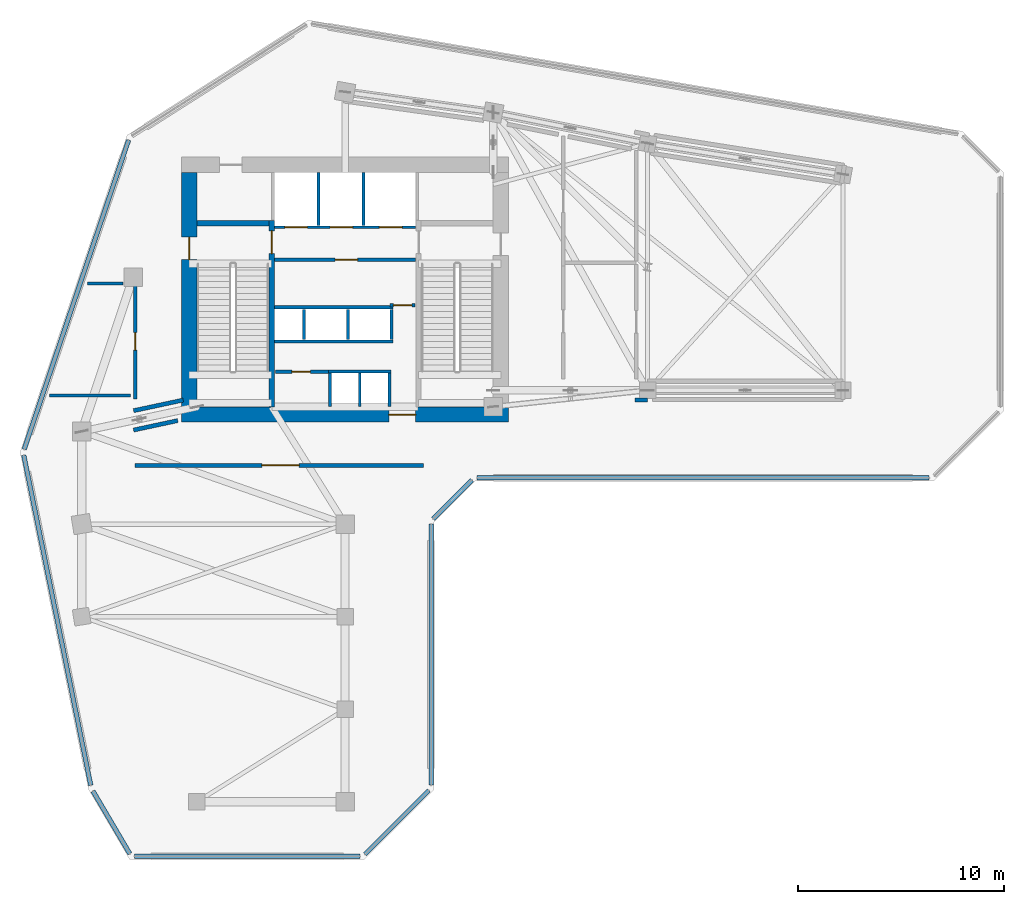
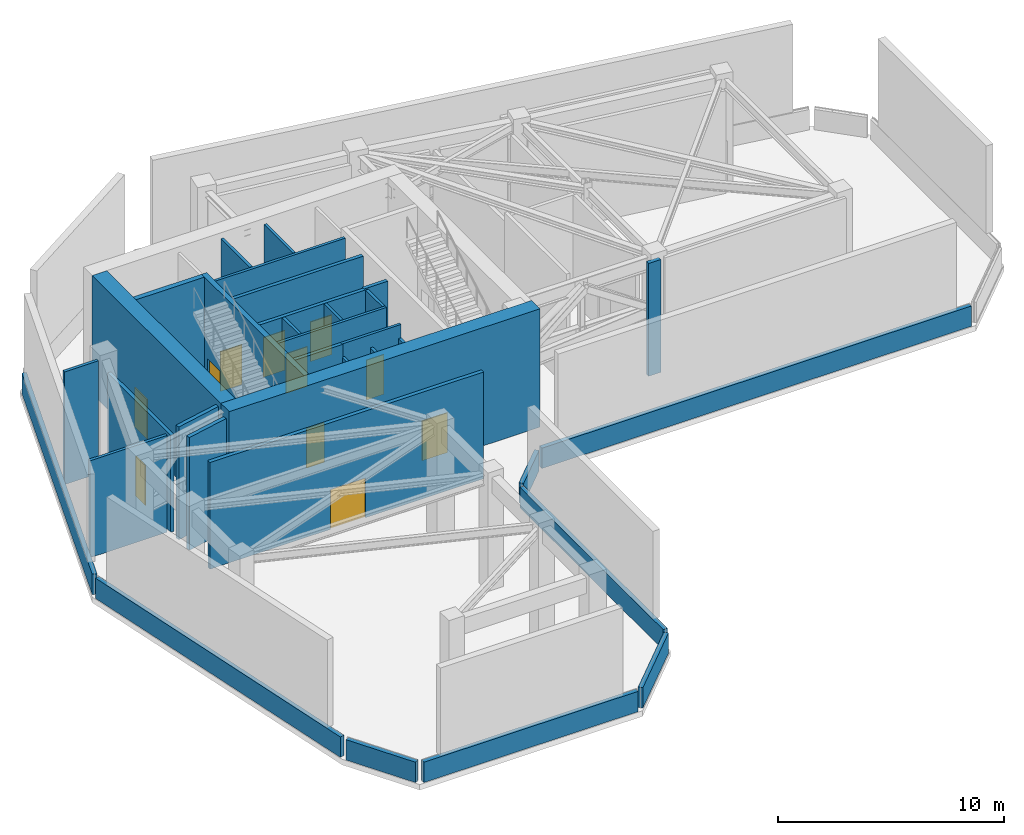
# One storey, part 6 of 10: 34 walls, 11 doors, 11 openings.
"""IFC4 building model written with IfcOpenShell, lengths in metres."""

from ifc_helpers import new_model, si_unit, direction, frame, frame_2d, origin, place, context, subcontext, project, spatial, rectangle, extrude, source, transform, mapped, material, layer, layer_set, type_object, element, fill, save


model = new_model("IFC4")

# Units and contexts
model_context = context("Model", 3, precision=1e-05, world=origin(), true_north=direction((0.0, 1.0)))
body_context = subcontext(model_context, "Body", "Model", "MODEL_VIEW")
ifc_project = project(units=[si_unit("LENGTHUNIT", "METRE"), si_unit("AREAUNIT", "SQUARE_METRE"), si_unit("VOLUMEUNIT", "CUBIC_METRE"), si_unit("PLANEANGLEUNIT", "RADIAN"), si_unit("MASSUNIT", "GRAM", prefix="KILO")], contexts=[model_context])

# Site, building, storey
site_placement = place(None, origin())
site = spatial("IfcSite", under=ifc_project, at=site_placement, CompositionType="ELEMENT")
building_placement = place(site_placement, origin())
building = spatial("IfcBuilding", under=site, at=building_placement, Name="Calvemar Wedge Station Tower", CompositionType="ELEMENT")
storey_placement = place(building_placement, frame((0.0, 0.0, 171.800048828125)))
storey = spatial("IfcBuildingStorey", under=building, at=storey_placement, Name="L43", CompositionType="ELEMENT", Elevation=171.800048828125)

# Wall, opening, door
ifc_material_1 = material(Name="Concrete C50", Category="concrete")
ifc_layer_1 = layer(ifc_material_1, 0.260009765625)
ifc_layer_set_1 = layer_set([ifc_layer_1], Name="Concrete C50")
wall_type_1 = type_object("IfcWallType", Name="SW-CORE-260", PredefinedType="SHEAR", material=ifc_layer_set_1)
wall_1_placement = place(storey_placement, frame((20.22998046875, 34.199951171875, 0.0), z_axis=(0.0, 0.0, 1.0), x_axis=(0.0, 1.0, 0.0)))
wall_1 = element("IfcWall", 1, at=wall_1_placement, inside=storey, type_object=wall_type_1, Name="Storey L43 Core Shear Wall SPINE-W", PredefinedType="SHEAR", context=body_context, shape_type="SweptSolid", body=[
    extrude(rectangle(XDim=9.06005859375, YDim=0.260009765625, at=frame_2d((4.530029296875, 0.0))), origin(), (0.0, 0.0, 1.0), 6.39990234375),
])
shared_shape_1 = source(origin(), body_context, "Body", "SweptSolid", [
    extrude(rectangle(XDim=1.10009765625, YDim=2.14990234375, at=frame_2d((0.550048828125, 1.074951171875))), frame((0.0, 0.14013671875, 0.0), z_axis=(0.0, -1.0, 0.0), x_axis=(1.0, 0.0, 0.0)), (0.0, 0.0, 1.0), 0.280029296875),
])
opening_1_placement = place(wall_1_placement, frame((7.449951171875, 0.0, 0.0)))
opening_1 = element("IfcOpeningElement", 2, at=opening_1_placement, cuts=wall_1, Name="Opening FD-90", PredefinedType="OPENING", context=body_context, shape_type="MappedRepresentation", body=[
    mapped(shared_shape_1, transform((0.0, 0.0, 0.0), scale=1.0)),
])
ifc_material_2 = material(Name="Galvanized fire-rated steel door leaf P-90", Category="steel")
door_type_1 = type_object("IfcDoorType", Name="DR-FD90-1100", OperationType="NOTDEFINED", PredefinedType="DOOR", material=ifc_material_2)
shared_shape_2 = source(origin(), body_context, "Body", "SweptSolid", [
    extrude(rectangle(XDim=1.10009765625, YDim=2.14990234375, at=frame_2d((0.550048828125, 1.074951171875))), frame((0.0, 0.02490234375, 0.0), z_axis=(0.0, -1.0, 0.0), x_axis=(1.0, 0.0, 0.0)), (0.0, 0.0, 1.0), 0.050048828125),
])
door_1_placement = place(opening_1_placement, origin())
door_1 = element("IfcDoor", 3, at=door_1_placement, inside=storey, type_object=door_type_1, Name="L43 FF Lobby to Stair ST-C1 Door", OperationType="SINGLE_SWING_RIGHT", OverallHeight=2.14990234375, OverallWidth=1.10009765625, PredefinedType="DOOR", context=body_context, shape_type="MappedRepresentation", body=[
    mapped(shared_shape_2, transform((0.0, 0.0, 0.0), scale=1.0)),
])
fill(opening_1, door_1)

# Wall
wall_2_placement = place(storey_placement, frame((16.60009765625, 43.1298828125, 0.0), z_axis=(0.0, 0.0, 1.0), x_axis=(1.0, 0.0, 0.0)))
element("IfcWall", 4, at=wall_2_placement, inside=storey, type_object=wall_type_1, Name="Storey L43 Core Shear Wall STC1-N", PredefinedType="SHEAR", context=body_context, shape_type="SweptSolid", body=[
    extrude(rectangle(XDim=3.5, YDim=0.260009765625, at=frame_2d((1.75, 0.0))), origin(), (0.0, 0.0, 1.0), 6.39990234375),
])

# Wall, opening, door
ifc_material_3 = material(Name="Concrete C70", Category="concrete")
ifc_layer_2 = layer(ifc_material_3, 0.75)
ifc_layer_set_2 = layer_set([ifc_layer_2], Name="Concrete C70")
wall_type_2 = type_object("IfcWallType", Name="SW-CORE-750", PredefinedType="SHEAR", material=ifc_layer_set_2)
wall_3_placement = place(storey_placement, frame((15.85009765625, 33.824951171875, 0.0), z_axis=(0.0, 0.0, 1.0), x_axis=(1.0, 0.0, 0.0)))
wall_3 = element("IfcWall", 5, at=wall_3_placement, inside=storey, type_object=wall_type_2, Name="Storey L43 Core Shear Wall S", PredefinedType="SHEAR", context=body_context, shape_type="SweptSolid", body=[
    extrude(rectangle(XDim=15.89990234375, YDim=0.75, at=frame_2d((7.949951171875, 0.0))), origin(), (0.0, 0.0, 1.0), 6.39990234375),
])
shared_shape_3 = source(origin(), body_context, "Body", "SweptSolid", [
    extrude(rectangle(XDim=1.300048828125, YDim=2.14990234375, at=frame_2d((0.64990234375, 1.074951171875))), frame((0.0, 0.385009765625, 0.0), z_axis=(0.0, -1.0, 0.0), x_axis=(1.0, 0.0, 0.0)), (0.0, 0.0, 1.0), 0.77001953125),
])
opening_2_placement = place(wall_3_placement, frame((10.080078125, 0.0, 0.0)))
opening_2 = element("IfcOpeningElement", 6, at=opening_2_placement, cuts=wall_3, Name="Opening DD-130", PredefinedType="OPENING", context=body_context, shape_type="MappedRepresentation", body=[
    mapped(shared_shape_3, transform((0.0, 0.0, 0.0), scale=1.0)),
])
ifc_material_4 = material(Name="Double-leaf lift lobby fire door EI 60")
door_type_2 = type_object("IfcDoorType", Name="DR-DBL-1300", OperationType="DOUBLE_DOOR_SINGLE_SWING", PredefinedType="DOOR", material=ifc_material_4)
shared_shape_4 = source(origin(), body_context, "Body", "SweptSolid", [
    extrude(rectangle(XDim=1.300048828125, YDim=2.14990234375, at=frame_2d((0.64990234375, 1.074951171875))), frame((0.0, 0.02490234375, 0.0), z_axis=(0.0, -1.0, 0.0), x_axis=(1.0, 0.0, 0.0)), (0.0, 0.0, 1.0), 0.050048828125),
])
door_2_placement = place(opening_2_placement, origin())
door_2 = element("IfcDoor", 7, at=door_2_placement, inside=storey, type_object=door_type_2, Name="L43 Passenger Lift Lobby Door", OperationType="DOUBLE_DOOR_SINGLE_SWING", OverallHeight=2.14990234375, OverallWidth=1.300048828125, PredefinedType="DOOR", context=body_context, shape_type="MappedRepresentation", body=[
    mapped(shared_shape_4, transform((0.0, 0.0, 0.0), scale=1.0)),
])
fill(opening_2, door_2)

wall_4_placement = place(storey_placement, frame((16.22509765625, 34.199951171875, 0.0), z_axis=(0.0, 0.0, 1.0), x_axis=(0.0, 1.0, 0.0)))
wall_4 = element("IfcWall", 8, at=wall_4_placement, inside=storey, type_object=wall_type_2, Name="Storey L43 Core Shear Wall W", PredefinedType="SHEAR", context=body_context, shape_type="SweptSolid", body=[
    extrude(rectangle(XDim=11.400146484375, YDim=0.75, at=frame_2d((5.7001953125, 0.0))), origin(), (0.0, 0.0, 1.0), 6.39990234375),
])
shared_shape_5 = source(origin(), body_context, "Body", "SweptSolid", [
    extrude(rectangle(XDim=1.10009765625, YDim=2.14990234375, at=frame_2d((0.550048828125, 1.074951171875))), frame((0.0, 0.385009765625, 0.0), z_axis=(0.0, -1.0, 0.0), x_axis=(1.0, 0.0, 0.0)), (0.0, 0.0, 1.0), 0.77001953125),
])
opening_3_placement = place(wall_4_placement, frame((7.14990234375, 0.0, 0.0)))
opening_3 = element("IfcOpeningElement", 9, at=opening_3_placement, cuts=wall_4, Name="Opening FD-90", PredefinedType="OPENING", context=body_context, shape_type="MappedRepresentation", body=[
    mapped(shared_shape_5, transform((0.0, 0.0, 0.0), scale=1.0)),
])
door_3_placement = place(opening_3_placement, origin())
door_3 = element("IfcDoor", 10, at=door_3_placement, inside=storey, type_object=door_type_1, Name="L43 West Corridor to Exit Stair ST-C1 Door", OperationType="SINGLE_SWING_RIGHT", OverallHeight=2.14990234375, OverallWidth=1.10009765625, PredefinedType="DOOR", context=body_context, shape_type="MappedRepresentation", body=[
    mapped(shared_shape_2, transform((0.0, 0.0, 0.0), scale=1.0)),
])
fill(opening_3, door_3)

ifc_material_5 = material(Name="Double-stud fire-rated corridor partition")
ifc_layer_3 = layer(ifc_material_5, 0.179931640625)
ifc_layer_set_3 = layer_set([ifc_layer_3], Name="Double-stud fire-rated corridor partition")
wall_type_3 = type_object("IfcWallType", Name="W-CORR-180", PredefinedType="PARTITIONING", material=ifc_layer_set_3)
wall_5_placement = place(storey_placement, frame((27.219970703125, 41.35009765625, 0.0), z_axis=(0.0, 0.0, 1.0), x_axis=(-1.0, 0.0, 0.0)))
wall_5 = element("IfcWall", 11, at=wall_5_placement, inside=storey, type_object=wall_type_3, Name="Storey L43 Interior Partition WL-L43-001", PredefinedType="PARTITIONING", context=body_context, shape_type="SweptSolid", body=[
    extrude(rectangle(XDim=6.840087890625, YDim=0.179931640625, at=frame_2d((3.419921875, 0.0))), origin(), (0.0, 0.0, 1.0), 6.099853515625),
])
shared_shape_6 = source(origin(), body_context, "Body", "SweptSolid", [
    extrude(rectangle(XDim=1.10009765625, YDim=2.14990234375, at=frame_2d((0.550048828125, 1.074951171875))), frame((0.0, 0.10009765625, 0.0), z_axis=(0.0, -1.0, 0.0), x_axis=(1.0, 0.0, 0.0)), (0.0, 0.0, 1.0), 0.199951171875),
])
opening_4_placement = place(wall_5_placement, frame((2.809814453125, 0.0, 0.0)))
opening_4 = element("IfcOpeningElement", 12, at=opening_4_placement, cuts=wall_5, Name="Opening FD-90", PredefinedType="OPENING", context=body_context, shape_type="MappedRepresentation", body=[
    mapped(shared_shape_6, transform((0.0, 0.0, 0.0), scale=1.0)),
])
door_4_placement = place(opening_4_placement, origin())
door_4 = element("IfcDoor", 13, at=door_4_placement, inside=storey, type_object=door_type_1, Name="L43 Firefighting Lobby Door", OperationType="SINGLE_SWING_RIGHT", OverallHeight=2.14990234375, OverallWidth=1.10009765625, PredefinedType="DOOR", context=body_context, shape_type="MappedRepresentation", body=[
    mapped(shared_shape_2, transform((0.0, 0.0, 0.0), scale=1.0)),
])
fill(opening_4, door_4)

wall_6_placement = place(storey_placement, frame((27.199951171875, 39.1298828125, 0.0), z_axis=(0.0, 0.0, 1.0), x_axis=(-1.0, 0.0, 0.0)))
wall_6 = element("IfcWall", 14, at=wall_6_placement, inside=storey, type_object=wall_type_3, Name="Storey L43 Interior Partition WL-L43-002", PredefinedType="PARTITIONING", context=body_context, shape_type="SweptSolid", body=[
    extrude(rectangle(XDim=1.2099609375, YDim=0.179931640625, at=frame_2d((0.60498046875, 0.0))), origin(), (0.0, 0.0, 1.0), 6.099853515625),
])
shared_shape_7 = source(origin(), body_context, "Body", "SweptSolid", [
    extrude(rectangle(XDim=0.89990234375, YDim=2.14990234375, at=frame_2d((0.449951171875, 1.074951171875))), frame((0.0, 0.10009765625, 0.0), z_axis=(0.0, -1.0, 0.0), x_axis=(1.0, 0.0, 0.0)), (0.0, 0.0, 1.0), 0.199951171875),
])
opening_5_placement = place(wall_6_placement, frame((0.155029296875, 0.0, 0.0)))
opening_5 = element("IfcOpeningElement", 15, at=opening_5_placement, cuts=wall_6, Name="Opening FD-60", PredefinedType="OPENING", context=body_context, shape_type="MappedRepresentation", body=[
    mapped(shared_shape_7, transform((0.0, 0.0, 0.0), scale=1.0)),
])
ifc_material_6 = material(Name="Fire-rated acoustic timber-core entrance door EI 60", Category="wood")
door_type_3 = type_object("IfcDoorType", Name="DR-FD60-900", OperationType="NOTDEFINED", PredefinedType="DOOR", material=ifc_material_6)
shared_shape_8 = source(origin(), body_context, "Body", "SweptSolid", [
    extrude(rectangle(XDim=0.89990234375, YDim=2.14990234375, at=frame_2d((0.449951171875, 1.074951171875))), frame((0.0, 0.02490234375, 0.0), z_axis=(0.0, -1.0, 0.0), x_axis=(1.0, 0.0, 0.0)), (0.0, 0.0, 1.0), 0.050048828125),
])
door_5_placement = place(opening_5_placement, origin())
door_5 = element("IfcDoor", 16, at=door_5_placement, inside=storey, type_object=door_type_3, Name="L43 Core Service Lobby Door", OperationType="SINGLE_SWING_LEFT", OverallHeight=2.14990234375, OverallWidth=0.89990234375, PredefinedType="DOOR", context=body_context, shape_type="MappedRepresentation", body=[
    mapped(shared_shape_8, transform((0.0, 0.0, 0.0), scale=1.0)),
])
fill(opening_5, door_5)

wall_7_placement = place(storey_placement, frame((20.419921875, 35.89990234375, 0.0), z_axis=(0.0, 0.0, 1.0), x_axis=(1.0, 0.0, 0.0)))
wall_7 = element("IfcWall", 17, at=wall_7_placement, inside=storey, type_object=wall_type_3, Name="Storey L43 Interior Partition WL-L43-003", PredefinedType="PARTITIONING", context=body_context, shape_type="SweptSolid", body=[
    extrude(rectangle(XDim=2.6201171875, YDim=0.179931640625, at=frame_2d((1.31005859375, 0.0))), origin(), (0.0, 0.0, 1.0), 6.099853515625),
])
opening_6_placement = place(wall_7_placement, frame((0.795654296875, 0.0, 0.0)))
opening_6 = element("IfcOpeningElement", 18, at=opening_6_placement, cuts=wall_7, Name="Opening FD-60", PredefinedType="OPENING", context=body_context, shape_type="MappedRepresentation", body=[
    mapped(shared_shape_7, transform((0.0, 0.0, 0.0), scale=1.0)),
])
door_6_placement = place(opening_6_placement, origin())
door_6 = element("IfcDoor", 19, at=door_6_placement, inside=storey, type_object=door_type_3, Name="L43 Housekeeping Store Door", OperationType="SINGLE_SWING_RIGHT", OverallHeight=2.14990234375, OverallWidth=0.89990234375, PredefinedType="DOOR", context=body_context, shape_type="MappedRepresentation", body=[
    mapped(shared_shape_8, transform((0.0, 0.0, 0.0), scale=1.0)),
])
fill(opening_6, door_6)

wall_8_placement = place(storey_placement, frame((13.60009765625, 34.590087890625, 0.0), z_axis=(0.0, 0.0, 1.0), x_axis=(0.0, 1.0, 0.0)))
wall_8 = element("IfcWall", 20, at=wall_8_placement, inside=storey, type_object=wall_type_3, Name="Storey L43 Interior Partition WL-L43-005", PredefinedType="PARTITIONING", context=body_context, shape_type="SweptSolid", body=[
    extrude(rectangle(XDim=5.579833984375, YDim=0.179931640625, at=frame_2d((2.7900390625, 0.0))), origin(), (0.0, 0.0, 1.0), 5.241943359375),
])
shared_shape_9 = source(origin(), body_context, "Body", "SweptSolid", [
    extrude(rectangle(XDim=0.85009765625, YDim=2.14990234375, at=frame_2d((0.425048828125, 1.074951171875))), frame((0.0, 0.10009765625, 0.0), z_axis=(0.0, -1.0, 0.0), x_axis=(1.0, 0.0, 0.0)), (0.0, 0.0, 1.0), 0.199951171875),
])
opening_7_placement = place(wall_8_placement, frame((2.364990234375, 0.0, 0.0)))
opening_7 = element("IfcOpeningElement", 21, at=opening_7_placement, cuts=wall_8, Name="Opening D-02", PredefinedType="OPENING", context=body_context, shape_type="MappedRepresentation", body=[
    mapped(shared_shape_9, transform((0.0, 0.0, 0.0), scale=1.0)),
])
ifc_material_7 = material(Name="Moisture-sealed bathroom hardwood swing door", Category="wood")
door_type_4 = type_object("IfcDoorType", Name="DR-WET-850", OperationType="NOTDEFINED", PredefinedType="DOOR", material=ifc_material_7)
shared_shape_10 = source(origin(), body_context, "Body", "SweptSolid", [
    extrude(rectangle(XDim=0.85009765625, YDim=2.14990234375, at=frame_2d((0.425048828125, 1.074951171875))), frame((0.0, 0.02490234375, 0.0), z_axis=(0.0, -1.0, 0.0), x_axis=(1.0, 0.0, 0.0)), (0.0, 0.0, 1.0), 0.050048828125),
])
door_7_placement = place(opening_7_placement, origin())
door_7 = element("IfcDoor", 22, at=door_7_placement, inside=storey, type_object=door_type_4, Name="L43 Accessible WC Door", OperationType="SINGLE_SWING_RIGHT", OverallHeight=2.14990234375, OverallWidth=0.85009765625, PredefinedType="DOOR", context=body_context, shape_type="MappedRepresentation", body=[
    mapped(shared_shape_10, transform((0.0, 0.0, 0.0), scale=1.0)),
])
fill(opening_7, door_7)

# Wall, openings, doors
ifc_material_8 = material(Name="Reinforced concrete blockwork lift shaft wall", Category="masonry")
ifc_layer_4 = layer(ifc_material_8, 0.139892578125)
ifc_layer_set_4 = layer_set([ifc_layer_4], Name="Reinforced concrete blockwork lift shaft wall")
wall_type_4 = type_object("IfcWallType", Name="W-LIFT-160", PredefinedType="SOLIDWALL", material=ifc_layer_set_4)
wall_9_placement = place(storey_placement, frame((20.3701171875, 42.929931640625, 0.0), z_axis=(0.0, 0.0, 1.0), x_axis=(1.0, 0.0, 0.0)))
wall_9 = element("IfcWall", 23, at=wall_9_placement, inside=storey, type_object=wall_type_4, Name="Storey L43 Firefighting and Service Lift Shaft Front Wall", PredefinedType="SOLIDWALL", context=body_context, shape_type="SweptSolid", body=[
    extrude(rectangle(XDim=6.85986328125, YDim=0.139892578125, at=frame_2d((3.429931640625, 0.0))), origin(), (0.0, 0.0, 1.0), 6.099853515625),
])
shared_shape_11 = source(origin(), body_context, "Body", "SweptSolid", [
    extrude(rectangle(XDim=1.10009765625, YDim=2.14990234375, at=frame_2d((0.550048828125, 1.074951171875))), frame((0.0, 0.080078125, 0.0), z_axis=(0.0, -1.0, 0.0), x_axis=(1.0, 0.0, 0.0)), (0.0, 0.0, 1.0), 0.159912109375),
])
opening_8_placement = place(wall_9_placement, frame((0.5, 0.0, 0.0)))
opening_8 = element("IfcOpeningElement", 24, at=opening_8_placement, cuts=wall_9, Name="Opening LD-FF", PredefinedType="OPENING", context=body_context, shape_type="MappedRepresentation", body=[
    mapped(shared_shape_11, transform((0.0, 0.0, 0.0), scale=1.0)),
])
opening_9_placement = place(wall_9_placement, frame((2.699951171875, 0.0, 0.0)))
opening_9 = element("IfcOpeningElement", 25, at=opening_9_placement, cuts=wall_9, Name="Opening LD-FF", PredefinedType="OPENING", context=body_context, shape_type="MappedRepresentation", body=[
    mapped(shared_shape_11, transform((0.0, 0.0, 0.0), scale=1.0)),
])
opening_10_placement = place(wall_9_placement, frame((5.10009765625, 0.0, 0.0)))
opening_10 = element("IfcOpeningElement", 26, at=opening_10_placement, cuts=wall_9, Name="Opening LD-STN", PredefinedType="OPENING", context=body_context, shape_type="MappedRepresentation", body=[
    mapped(shared_shape_11, transform((0.0, 0.0, 0.0), scale=1.0)),
])
ifc_material_9 = material(Name="Stainless steel firefighting lift sliding landing door", Category="steel")
door_type_5 = type_object("IfcDoorType", Name="DR-LD-FF-1100", OperationType="SLIDING_TO_LEFT", PredefinedType="DOOR", material=ifc_material_9)
shared_shape_12 = source(origin(), body_context, "Body", "SweptSolid", [
    extrude(rectangle(XDim=1.10009765625, YDim=2.14990234375, at=frame_2d((0.550048828125, 1.074951171875))), frame((0.0, 0.02490234375, 0.0), z_axis=(0.0, -1.0, 0.0), x_axis=(1.0, 0.0, 0.0)), (0.0, 0.0, 1.0), 0.050048828125),
])
door_8_placement = place(opening_8_placement, origin())
door_8 = element("IfcDoor", 27, at=door_8_placement, inside=storey, type_object=door_type_5, Name="L43 Lift FF-01 Sliding Landing Door", OperationType="SLIDING_TO_LEFT", OverallHeight=2.14990234375, OverallWidth=1.10009765625, PredefinedType="DOOR", context=body_context, shape_type="MappedRepresentation", body=[
    mapped(shared_shape_12, transform((0.0, 0.0, 0.0), scale=1.0)),
])
fill(opening_8, door_8)
door_9_placement = place(opening_9_placement, origin())
door_9 = element("IfcDoor", 28, at=door_9_placement, inside=storey, type_object=door_type_5, Name="L43 Lift FF-02 Sliding Landing Door", OperationType="SLIDING_TO_RIGHT", OverallHeight=2.14990234375, OverallWidth=1.10009765625, PredefinedType="DOOR", context=body_context, shape_type="MappedRepresentation", body=[
    mapped(shared_shape_12, transform((0.0, 0.0, 0.0), scale=1.0)),
])
fill(opening_9, door_9)
ifc_material_10 = material(Name="Stainless steel transit lift sliding landing door", Category="steel")
door_type_6 = type_object("IfcDoorType", Name="DR-LD-PAX-1100", OperationType="SLIDING_TO_LEFT", PredefinedType="DOOR", material=ifc_material_10)
shared_shape_13 = source(origin(), body_context, "Body", "SweptSolid", [
    extrude(rectangle(XDim=1.10009765625, YDim=2.14990234375, at=frame_2d((0.550048828125, 1.074951171875))), frame((0.0, 0.02490234375, 0.0), z_axis=(0.0, -1.0, 0.0), x_axis=(1.0, 0.0, 0.0)), (0.0, 0.0, 1.0), 0.050048828125),
])
door_10_placement = place(opening_10_placement, origin())
door_10 = element("IfcDoor", 29, at=door_10_placement, inside=storey, type_object=door_type_6, Name="L43 Lift SV-01 Sliding Landing Door", OperationType="SLIDING_TO_LEFT", OverallHeight=2.14990234375, OverallWidth=1.10009765625, PredefinedType="DOOR", context=body_context, shape_type="MappedRepresentation", body=[
    mapped(shared_shape_13, transform((0.0, 0.0, 0.0), scale=1.0)),
])
fill(opening_10, door_10)

# Walls
for number, where, z_axis, x_axis, name in (
    (30, (22.5, 43.02001953125, 0.0), (0.0, 0.0, 1.0), (0.0, 1.0, 0.0), "Storey L43 Firefighting Lift Shaft Enclosure Wall D1"),
    (31, (24.699951171875, 43.02001953125, 0.0), (0.0, 0.0, 1.0), (0.0, 1.0, 0.0), "Storey L43 Firefighting Lift Shaft Enclosure Wall D2"),
):
    element("IfcWall", number, at=place(storey_placement, frame(where, z_axis=z_axis, x_axis=x_axis)), inside=storey, type_object=wall_type_4, Name=name, PredefinedType="SOLIDWALL", context=body_context, shape_type="SweptSolid", body=[
        extrude(rectangle(XDim=2.56005859375, YDim=0.139892578125, at=frame_2d((1.280029296875, 0.0))), origin(), (0.0, 0.0, 1.0), 6.099853515625),
    ])
wall_10_placement = place(storey_placement, frame((23.0, 35.919921875, 0.0), z_axis=(0.0, 0.0, 1.0), x_axis=(1.0, 0.0, 0.0)))
element("IfcWall", 32, at=wall_10_placement, inside=storey, type_object=wall_type_4, Name="Storey L43 South Passenger Lift Bank Front Wall", PredefinedType="SOLIDWALL", context=body_context, shape_type="SweptSolid", body=[
    extrude(rectangle(XDim=3.030029296875, YDim=0.139892578125, at=frame_2d((1.51513671875, 0.0))), origin(), (0.0, 0.0, 1.0), 6.099853515625),
])
for number, where, z_axis, x_axis, name in (
    (33, (25.9599609375, 34.219970703125, 0.0), (0.0, 0.0, 1.0), (0.0, 1.0, 0.0), "Storey L43 South Passenger Lift Shaft Wall E"),
    (34, (23.070068359375, 34.219970703125, 0.0), (0.0, 0.0, 1.0), (0.0, 1.0, 0.0), "Storey L43 South Passenger Lift Shaft Wall W"),
    (35, (24.514892578125, 34.219970703125, 0.0), (0.0, 0.0, 1.0), (0.0, 1.0, 0.0), "Storey L43 South Passenger Lift Shaft Wall D1"),
):
    element("IfcWall", number, at=place(storey_placement, frame(where, z_axis=z_axis, x_axis=x_axis)), inside=storey, type_object=wall_type_4, Name=name, PredefinedType="SOLIDWALL", context=body_context, shape_type="SweptSolid", body=[
        extrude(rectangle(XDim=1.6201171875, YDim=0.139892578125, at=frame_2d((0.81005859375, 0.0))), origin(), (0.0, 0.0, 1.0), 5.391845703125),
    ])
wall_11_placement = place(storey_placement, frame((20.3798828125, 37.3798828125, 0.0), z_axis=(0.0, 0.0, 1.0), x_axis=(1.0, 0.0, 0.0)))
element("IfcWall", 36, at=wall_11_placement, inside=storey, type_object=wall_type_4, Name="Storey L43 Upper Passenger Lift Bank Front Wall", PredefinedType="SOLIDWALL", context=body_context, shape_type="SweptSolid", body=[
    extrude(rectangle(XDim=5.75, YDim=0.139892578125, at=frame_2d((2.875, 0.0))), origin(), (0.0, 0.0, 1.0), 6.099853515625),
])
for number, where, z_axis, x_axis, name in (
    (37, (26.06005859375, 37.4599609375, 0.0), (0.0, 0.0, 1.0), (0.0, 1.0, 0.0), "Storey L43 Upper Passenger Lift Shaft Wall E"),
    (38, (21.794921875, 37.4599609375, 0.0), (0.0, 0.0, 1.0), (0.0, 1.0, 0.0), "Storey L43 Upper Passenger Lift Shaft Wall D1"),
    (39, (23.93505859375, 37.4599609375, 0.0), (0.0, 0.0, 1.0), (0.0, 1.0, 0.0), "Storey L43 Upper Passenger Lift Shaft Wall D2"),
):
    element("IfcWall", number, at=place(storey_placement, frame(where, z_axis=z_axis, x_axis=x_axis)), inside=storey, type_object=wall_type_4, Name=name, PredefinedType="SOLIDWALL", context=body_context, shape_type="SweptSolid", body=[
        extrude(rectangle(XDim=1.47998046875, YDim=0.139892578125, at=frame_2d((0.739990234375, 0.0))), origin(), (0.0, 0.0, 1.0), 6.099853515625),
    ])
ifc_material_11 = material(Name="Precast concrete C45", Category="concrete")
ifc_layer_5 = layer(ifc_material_11, 0.219970703125)
ifc_layer_set_5 = layer_set([ifc_layer_5], Name="Precast concrete C45")
wall_type_5 = type_object("IfcWallType", Name="W-PARA-220", PredefinedType="PARAPET", material=ifc_layer_set_5)
wall_12_placement = place(storey_placement, frame((11.546142578125, 15.525146484375, 0.0), z_axis=(0.0, 0.0, 1.0), x_axis=(0.506977855332, -0.861959079193, 0.0)))
element("IfcWall", 40, at=wall_12_placement, inside=storey, type_object=wall_type_5, Name="Wind Floor L43 Acoustic Curb Wall 1", PredefinedType="PARAPET", context=body_context, shape_type="SweptSolid", body=[
    extrude(rectangle(XDim=3.53369140625, YDim=0.219970703125, at=frame_2d((1.766845703125, 0.0))), origin(), (0.0, 0.0, 1.0), 1.099853515625),
])
wall_13_placement = place(storey_placement, frame((13.563720703125, 12.35009765625, 0.0), z_axis=(0.0, 0.0, 1.0), x_axis=(1.0, 0.0, 0.0)))
element("IfcWall", 41, at=wall_13_placement, inside=storey, type_object=wall_type_5, Name="Wind Floor L43 Acoustic Curb Wall 2", PredefinedType="PARAPET", context=body_context, shape_type="SweptSolid", body=[
    extrude(rectangle(XDim=10.9521484375, YDim=0.219970703125, at=frame_2d((5.47607421875, 0.0))), origin(), (0.0, 0.0, 1.0), 1.099853515625),
])
wall_14_placement = place(storey_placement, frame((24.77197265625, 12.4560546875, 0.0), z_axis=(0.0, 0.0, 1.0), x_axis=(0.707078936308, 0.707134624969, 0.0)))
element("IfcWall", 42, at=wall_14_placement, inside=storey, type_object=wall_type_5, Name="Wind Floor L43 Acoustic Curb Wall 3", PredefinedType="PARAPET", context=body_context, shape_type="SweptSolid", body=[
    extrude(rectangle(XDim=4.384033203125, YDim=0.219970703125, at=frame_2d((2.19189453125, 0.0))), origin(), (0.0, 0.0, 1.0), 1.099853515625),
])
wall_15_placement = place(storey_placement, frame((27.97802734375, 15.81201171875, 0.0), z_axis=(0.0, 0.0, 1.0), x_axis=(0.0, 1.0, 0.0)))
element("IfcWall", 43, at=wall_15_placement, inside=storey, type_object=wall_type_5, Name="Wind Floor L43 Acoustic Curb Wall 4", PredefinedType="PARAPET", context=body_context, shape_type="SweptSolid", body=[
    extrude(rectangle(XDim=12.692138671875, YDim=0.219970703125, at=frame_2d((6.34619140625, 0.0))), origin(), (0.0, 0.0, 1.0), 1.099853515625),
])
wall_16_placement = place(storey_placement, frame((28.083984375, 28.76025390625, 0.0), z_axis=(0.0, 0.0, 1.0), x_axis=(0.707106781187, 0.707106781187, 0.0)))
element("IfcWall", 44, at=wall_16_placement, inside=storey, type_object=wall_type_5, Name="Wind Floor L43 Acoustic Curb Wall 5", PredefinedType="PARAPET", context=body_context, shape_type="SweptSolid", body=[
    extrude(rectangle(XDim=2.652587890625, YDim=0.219970703125, at=frame_2d((1.326171875, 0.0))), origin(), (0.0, 0.0, 1.0), 1.099853515625),
])
wall_17_placement = place(storey_placement, frame((30.2158203125, 30.741943359375, 0.0), z_axis=(0.0, 0.0, 1.0), x_axis=(1.0, 0.0, 0.0)))
element("IfcWall", 45, at=wall_17_placement, inside=storey, type_object=wall_type_5, Name="Wind Floor L43 Acoustic Curb Wall 6", PredefinedType="PARAPET", context=body_context, shape_type="SweptSolid", body=[
    extrude(rectangle(XDim=21.97216796875, YDim=0.219970703125, at=frame_2d((10.986083984375, 0.0))), origin(), (0.0, 0.0, 1.0), 1.099853515625),
])
wall_18_placement = place(storey_placement, frame((13.277099609375, 47.15966796875, 0.0), z_axis=(0.0, 0.0, 1.0), x_axis=(-0.31991959002, -0.947444698081, 0.0)))
element("IfcWall", 46, at=wall_18_placement, inside=storey, type_object=wall_type_5, Name="Wind Floor L43 Acoustic Curb Wall 12", PredefinedType="PARAPET", context=body_context, shape_type="SweptSolid", body=[
    extrude(rectangle(XDim=15.86083984375, YDim=0.219970703125, at=frame_2d((7.930419921875, 0.0))), origin(), (0.0, 0.0, 1.0), 1.099853515625),
])
wall_19_placement = place(storey_placement, frame((8.184814453125, 31.84326171875, 0.0), z_axis=(0.0, 0.0, 1.0), x_axis=(0.198877512886, -0.980024354222, 0.0)))
element("IfcWall", 47, at=wall_19_placement, inside=storey, type_object=wall_type_5, Name="Wind Floor L43 Acoustic Curb Wall 13", PredefinedType="PARAPET", context=body_context, shape_type="SweptSolid", body=[
    extrude(rectangle(XDim=16.36865234375, YDim=0.219970703125, at=frame_2d((8.184326171875, 0.0))), origin(), (0.0, 0.0, 1.0), 1.099853515625),
])
ifc_material_12 = material(Name="Concrete blockwork and fireboard shaft wall", Category="masonry")
ifc_layer_6 = layer(ifc_material_12, 0.199951171875)
ifc_layer_set_6 = layer_set([ifc_layer_6], Name="Concrete blockwork and fireboard shaft wall")
wall_type_6 = type_object("IfcWallType", Name="W-SHAFT-200", PredefinedType="SOLIDWALL", material=ifc_layer_set_6)
wall_20_placement = place(storey_placement, frame((20.3798828125, 39.0400390625, 0.0), z_axis=(0.0, 0.0, 1.0), x_axis=(1.0, 0.0, 0.0)))
element("IfcWall", 48, at=wall_20_placement, inside=storey, type_object=wall_type_6, Name="Storey L43 Upper Passenger Lift Bank Rear Shaft Wall", PredefinedType="SOLIDWALL", context=body_context, shape_type="SweptSolid", body=[
    extrude(rectangle(XDim=5.75, YDim=0.179931640625, at=frame_2d((2.875, 0.0))), origin(), (0.0, 0.0, 1.0), 6.099853515625),
])

# Wall, opening, door
wall_21_placement = place(storey_placement, frame((27.60009765625, 31.35009765625, 0.0), z_axis=(0.0, 0.0, 1.0), x_axis=(-1.0, 0.0, 0.0)))
wall_21 = element("IfcWall", 49, at=wall_21_placement, inside=storey, type_object=wall_type_6, Name="Storey L43 Interior Partition WL-L43-004", PredefinedType="SOLIDWALL", context=body_context, shape_type="SweptSolid", body=[
    extrude(rectangle(XDim=14.0, YDim=0.199951171875, at=frame_2d((7.0, 0.0))), origin(), (0.0, 0.0, 1.0), 5.76904296875),
])
shared_shape_14 = source(origin(), body_context, "Body", "SweptSolid", [
    extrude(rectangle(XDim=1.800048828125, YDim=2.14990234375, at=frame_2d((0.89990234375, 1.074951171875))), frame((0.0, 0.10986328125, 0.0), z_axis=(0.0, -1.0, 0.0), x_axis=(1.0, 0.0, 0.0)), (0.0, 0.0, 1.0), 0.219970703125),
])
opening_11_placement = place(wall_21_placement, frame((6.0400390625, 0.0, 0.0)))
opening_11 = element("IfcOpeningElement", 50, at=opening_11_placement, cuts=wall_21, Name="Opening DD-180", PredefinedType="OPENING", context=body_context, shape_type="MappedRepresentation", body=[
    mapped(shared_shape_14, transform((0.0, 0.0, 0.0), scale=1.0)),
])
ifc_material_13 = material(Name="Double-leaf fire-rated refuge and concourse door EI 60")
door_type_7 = type_object("IfcDoorType", Name="DR-DBL-1800", OperationType="DOUBLE_DOOR_SINGLE_SWING", PredefinedType="DOOR", material=ifc_material_13)
shared_shape_15 = source(origin(), body_context, "Body", "SweptSolid", [
    extrude(rectangle(XDim=1.800048828125, YDim=2.14990234375, at=frame_2d((0.89990234375, 1.074951171875))), frame((0.0, 0.02490234375, 0.0), z_axis=(0.0, -1.0, 0.0), x_axis=(1.0, 0.0, 0.0)), (0.0, 0.0, 1.0), 0.050048828125),
])
door_11_placement = place(opening_11_placement, origin())
door_11 = element("IfcDoor", 51, at=door_11_placement, inside=storey, type_object=door_type_7, Name="L43 Fire Refuge Room Door", OperationType="SINGLE_SWING_LEFT", OverallHeight=2.14990234375, OverallWidth=1.800048828125, PredefinedType="DOOR", context=body_context, shape_type="MappedRepresentation", body=[
    mapped(shared_shape_15, transform((0.0, 0.0, 0.0), scale=1.0)),
])
fill(opening_11, door_11)

# Walls
wall_22_placement = place(storey_placement, frame((38.5, 34.5400390625, 0.0), z_axis=(0.0, 0.0, 1.0), x_axis=(-1.0, 0.0, 0.0)))
element("IfcWall", 52, at=wall_22_placement, inside=storey, type_object=wall_type_6, Name="Storey L43 Fire-Rated Truss Casing Wall WL-L43-017", PredefinedType="SOLIDWALL", context=body_context, shape_type="SweptSolid", body=[
    extrude(rectangle(XDim=0.618408203125, YDim=0.199951171875, at=frame_2d((0.30908203125, 0.0))), origin(), (0.0, 0.0, 1.0), 6.099853515625),
])
wall_23_placement = place(storey_placement, frame((13.521728515625, 34.0107421875, 0.0), z_axis=(0.0, 0.0, 1.0), x_axis=(0.9777966111, 0.209556167464, 0.0)))
element("IfcWall", 53, at=wall_23_placement, inside=storey, type_object=wall_type_6, Name="Storey L43 Fire-Rated Truss Casing Wall WL-L43-018", PredefinedType="SOLIDWALL", context=body_context, shape_type="SweptSolid", body=[
    extrude(rectangle(XDim=2.462890625, YDim=0.199951171875, at=frame_2d((1.2314453125, 0.0))), origin(), (0.0, 0.0, 1.0), 6.099853515625),
])
wall_24_placement = place(storey_placement, frame((15.668701171875, 33.530029296875, 0.0), z_axis=(0.0, 0.0, 1.0), x_axis=(-0.977800788178, -0.209536676117, 0.0)))
element("IfcWall", 54, at=wall_24_placement, inside=storey, type_object=wall_type_6, Name="Storey L43 Fire-Rated Truss Casing Wall WL-L43-019", PredefinedType="SOLIDWALL", context=body_context, shape_type="SweptSolid", body=[
    extrude(rectangle(XDim=2.197509765625, YDim=0.199951171875, at=frame_2d((1.0986328125, 0.0))), origin(), (0.0, 0.0, 1.0), 6.099853515625),
])
ifc_material_14 = material(Name="Moisture-resistant acoustic bathroom partition")
ifc_layer_7 = layer(ifc_material_14, 0.14990234375)
ifc_layer_set_7 = layer_set([ifc_layer_7], Name="Moisture-resistant acoustic bathroom partition")
wall_type_7 = type_object("IfcWallType", Name="W-WET-150", PredefinedType="PARTITIONING", material=ifc_layer_set_7)
wall_25_placement = place(storey_placement, frame((11.28076171875, 40.199951171875, 0.0), z_axis=(0.0, 0.0, 1.0), x_axis=(1.0, 0.0, 0.0)))
element("IfcWall", 55, at=wall_25_placement, inside=storey, type_object=wall_type_7, Name="Storey L43 Bathroom Enclosure Wall WL-L43-011", PredefinedType="PARTITIONING", context=body_context, shape_type="SweptSolid", body=[
    extrude(rectangle(XDim=1.729248046875, YDim=0.14990234375, at=frame_2d((0.86474609375, 0.0))), origin(), (0.0, 0.0, 1.0), 6.099853515625),
])
wall_26_placement = place(storey_placement, frame((13.3798828125, 34.75, 0.0), z_axis=(0.0, 0.0, 1.0), x_axis=(-1.0, 0.0, 0.0)))
element("IfcWall", 56, at=wall_26_placement, inside=storey, type_object=wall_type_7, Name="Storey L43 Bathroom Enclosure Wall WL-L43-012", PredefinedType="PARTITIONING", context=body_context, shape_type="SweptSolid", body=[
    extrude(rectangle(XDim=3.939453125, YDim=0.14990234375, at=frame_2d((1.9697265625, 0.0))), origin(), (0.0, 0.0, 1.0), 5.241943359375),
])

save(model, "model.ifc")
